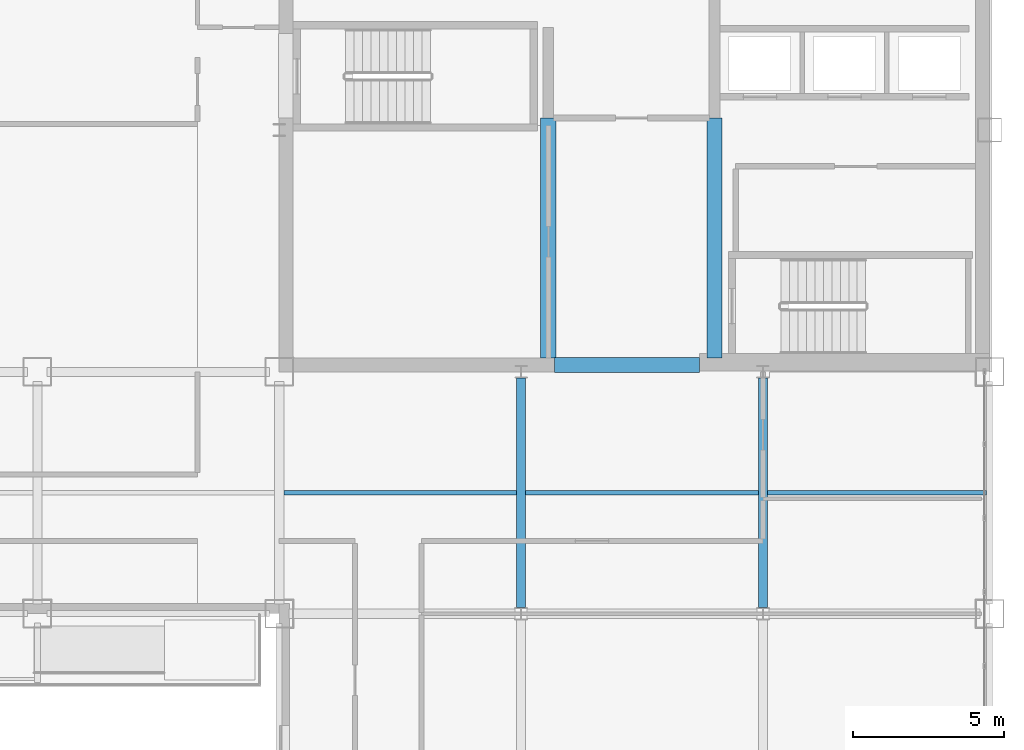
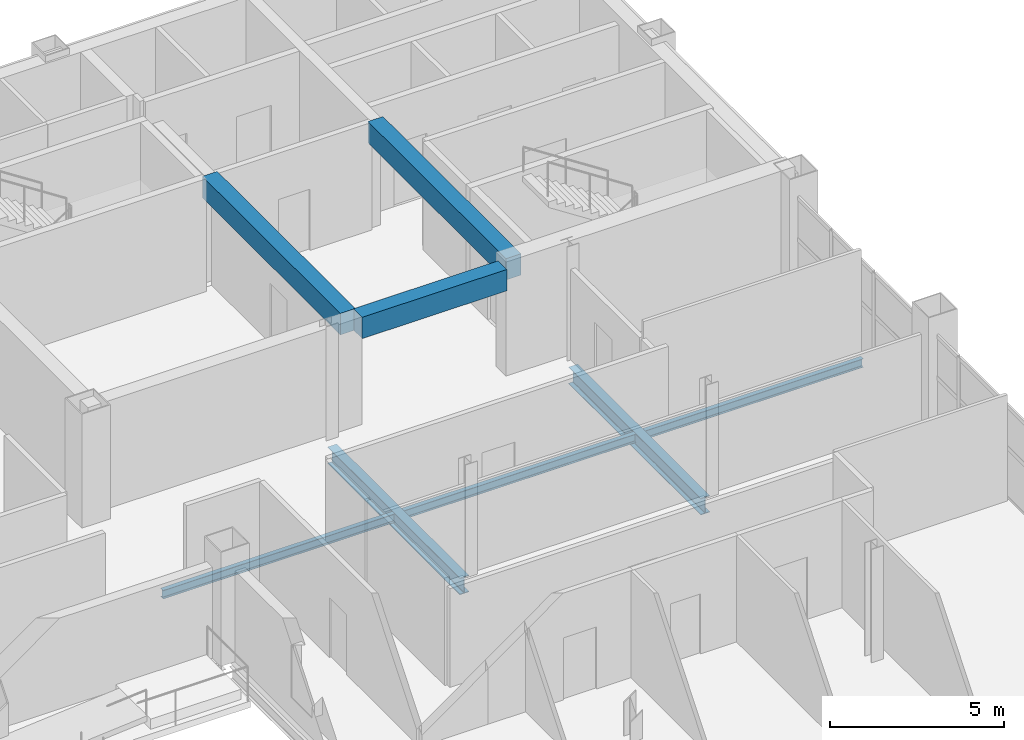
# One storey, part 5 of 12: 8 beams.
"""IFC4 building model written with IfcOpenShell, lengths in metres."""

from ifc_helpers import new_model, si_unit, direction, frame, origin, origin_2d, place, context, subcontext, project, spatial, rectangle, i_section, extrude, material, material_profile, profile_set, type_object, element, save


model = new_model("IFC4")

# Units and contexts
model_context = context("Model", 3, precision=1e-05, world=origin(), true_north=direction((0.0, 1.0)))
body_context = subcontext(model_context, "Body", "Model", "MODEL_VIEW")
ifc_project = project(units=[si_unit("LENGTHUNIT", "METRE"), si_unit("AREAUNIT", "SQUARE_METRE"), si_unit("VOLUMEUNIT", "CUBIC_METRE"), si_unit("PLANEANGLEUNIT", "RADIAN"), si_unit("MASSUNIT", "GRAM", prefix="KILO")], contexts=[model_context])

# Site, building, storey
site_placement = place(None, origin())
site = spatial("IfcSite", under=ifc_project, at=site_placement, CompositionType="ELEMENT")
building_placement = place(site_placement, origin())
building = spatial("IfcBuilding", under=site, at=building_placement, Name="Qianrong Seaharbour Tower", CompositionType="ELEMENT")
storey_placement = place(building_placement, frame((0.0, 0.0, 205.800048828125)))
storey = spatial("IfcBuildingStorey", under=building, at=storey_placement, Name="L49", CompositionType="ELEMENT", Elevation=205.800048828125)

# Beams
ifc_material_1 = material(Name="Structural steel SN490B", Category="steel")
ifc_material_profile_1 = material_profile(ifc_material_1, i_section(OverallWidth=0.300048828125, OverallDepth=0.587890625, WebThickness=0.011962890625, FlangeThickness=0.02001953125, FilletRadius=0.02392578125, at=origin_2d()), Name="H588x300x12x20")
ifc_profile_set_1 = profile_set([ifc_material_profile_1], Name="Structural steel SN490B")
beam_type_1 = type_object("IfcBeamType", Name="BM-G-588", PredefinedType="BEAM", material=ifc_profile_set_1)
for number, where, z_axis, x_axis, name in (
    (1, (48.5, 28.199951171875, -0.51904296875), (0.0, 1.0, 0.0), (-1.0, 0.0, 0.0), "L49 Primary Girder G7 GE-GF"),
    (2, (56.5, 28.199951171875, -0.51904296875), (0.0, 1.0, 0.0), (-1.0, 0.0, 0.0), "L49 Primary Girder G8 GE-GF"),
):
    element("IfcBeam", number, at=place(storey_placement, frame(where, z_axis=z_axis, x_axis=x_axis)), inside=storey, type_object=beam_type_1, Name=name, PredefinedType="BEAM", context=body_context, shape_type="SweptSolid", body=[
        extrude(i_section(OverallWidth=0.300048828125, OverallDepth=0.587890625, WebThickness=0.011962890625, FlangeThickness=0.02001953125, FilletRadius=0.02392578125, at=origin_2d()), origin(), (0.0, 0.0, 1.0), 7.60009765625),
    ])
ifc_material_2 = material(Name="Structural steel SN400B", Category="steel")
ifc_material_profile_2 = material_profile(ifc_material_2, i_section(OverallWidth=0.14990234375, OverallDepth=0.300048828125, WebThickness=0.006591796875, FlangeThickness=0.009033203125, FilletRadius=0.012939453125, at=origin_2d()), Name="H300x150x6.5x9")
ifc_profile_set_2 = profile_set([ifc_material_profile_2], Name="Structural steel SN400B")
beam_type_2 = type_object("IfcBeamType", Name="BM-J-300", PredefinedType="JOIST", material=ifc_profile_set_2)
for number, where, z_axis, x_axis, name in (
    (3, (40.64990234375, 32.0, -0.375), (1.0, 0.0, 0.0), (0.0, 1.0, 0.0), "L49 Composite Floor Joist G6-G7/GE-GF"),
    (4, (48.64990234375, 32.0, -0.375), (1.0, 0.0, 0.0), (0.0, 1.0, 0.0), "L49 Composite Floor Joist G7-G8/GE-GF"),
):
    element("IfcBeam", number, at=place(storey_placement, frame(where, z_axis=z_axis, x_axis=x_axis)), inside=storey, type_object=beam_type_2, Name=name, PredefinedType="JOIST", context=body_context, shape_type="SweptSolid", body=[
        extrude(i_section(OverallWidth=0.14990234375, OverallDepth=0.300048828125, WebThickness=0.006591796875, FlangeThickness=0.009033203125, FilletRadius=0.012939453125, at=origin_2d()), origin(), (0.0, 0.0, 1.0), 7.7001953125),
    ])
beam_1_placement = place(storey_placement, frame((56.64990234375, 32.0, -0.375), z_axis=(1.0, 0.0, 0.0), x_axis=(0.0, 1.0, 0.0)))
element("IfcBeam", 5, at=beam_1_placement, inside=storey, type_object=beam_type_2, Name="L49 Composite Floor Joist G8-G9/GE-GF", PredefinedType="JOIST", context=body_context, shape_type="SweptSolid", body=[
    extrude(i_section(OverallWidth=0.14990234375, OverallDepth=0.300048828125, WebThickness=0.006591796875, FlangeThickness=0.009033203125, FilletRadius=0.012939453125, at=origin_2d()), origin(), (0.0, 0.0, 1.0), 7.25),
])
ifc_material_3 = material(Name="Concrete C60/75", Category="concrete")
ifc_material_profile_3 = material_profile(ifc_material_3, rectangle(XDim=0.5, YDim=0.75, at=origin_2d()), Name="RC500x750")
ifc_profile_set_3 = profile_set([ifc_material_profile_3], Name="Concrete C60/75")
beam_type_3 = type_object("IfcBeamType", Name="BM-LINTEL-750", PredefinedType="LINTEL", material=ifc_profile_set_3)
beam_2_placement = place(storey_placement, frame((49.60009765625, 36.22998046875, 3.39990234375), z_axis=(1.0, 0.0, 0.0), x_axis=(0.0, 1.0, 0.0)))
element("IfcBeam", 6, at=beam_2_placement, inside=storey, type_object=beam_type_3, Name="L49 Core Coupling Lintel Beam CBC", PredefinedType="LINTEL", context=body_context, shape_type="SweptSolid", body=[
    extrude(rectangle(XDim=0.5, YDim=0.75, at=origin_2d()), origin(), (0.0, 0.0, 1.0), 4.7998046875),
])
for number, where, z_axis, x_axis, name in (
    (7, (49.39990234375, 36.4599609375, 3.39990234375), (0.0, 1.0, 0.0), (-1.0, 0.0, 0.0), "L49 Internal Core Coupling Beam IW1"),
    (8, (54.89990234375, 36.4599609375, 3.39990234375), (0.0, 1.0, 0.0), (-1.0, 0.0, 0.0), "L49 Internal Core Coupling Beam IW2"),
):
    element("IfcBeam", number, at=place(storey_placement, frame(where, z_axis=z_axis, x_axis=x_axis)), inside=storey, type_object=beam_type_3, Name=name, PredefinedType="LINTEL", context=body_context, shape_type="SweptSolid", body=[
        extrude(rectangle(XDim=0.5, YDim=0.75, at=origin_2d()), origin(), (0.0, 0.0, 1.0), 7.93994140625),
    ])

save(model, "model.ifc")
